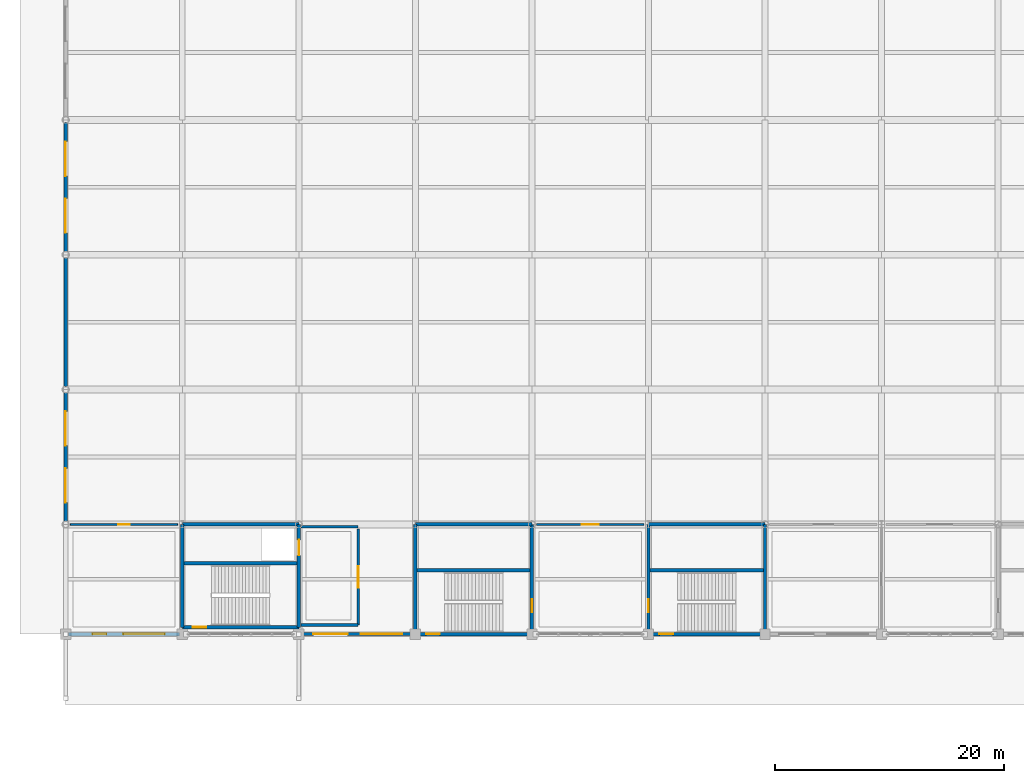
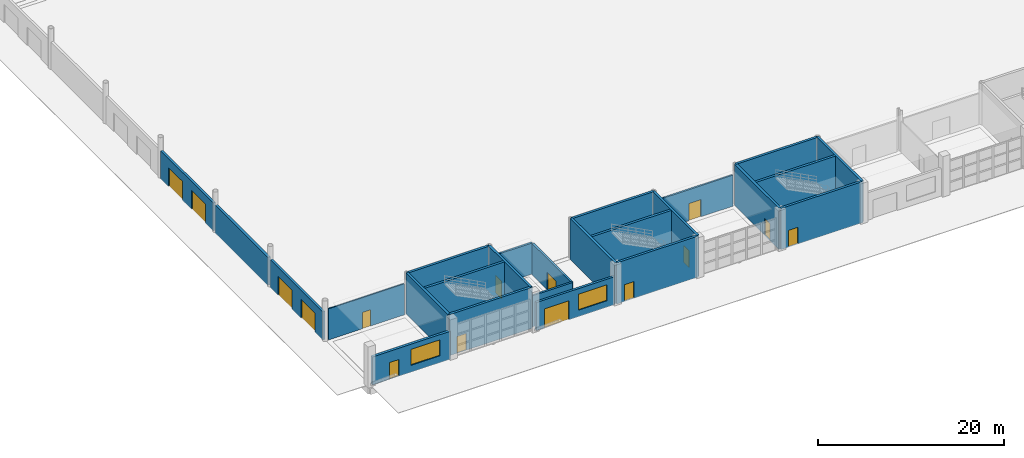
# One storey, part 86 of 124: 25 walls, 15 doors, 2 windows, 17 openings.
"""IFC4 building model written with IfcOpenShell, lengths in metres."""

from ifc_helpers import new_model, si_unit, direction, frame, frame_2d, origin, place, context, subcontext, project, spatial, rectangle, extrude, material, layer, layer_set, type_object, element, fill, save


model = new_model("IFC4")

# Units and contexts
model_context = context("Model", 3, precision=1e-05, world=origin(), true_north=direction((0.0, 1.0)))
body_context = subcontext(model_context, "Body", "Model", "MODEL_VIEW")
ifc_project = project(units=[si_unit("LENGTHUNIT", "METRE"), si_unit("AREAUNIT", "SQUARE_METRE"), si_unit("VOLUMEUNIT", "CUBIC_METRE"), si_unit("PLANEANGLEUNIT", "RADIAN"), si_unit("MASSUNIT", "GRAM", prefix="KILO")], contexts=[model_context])

# Site, building, storey
site_placement = place(None, origin())
site = spatial("IfcSite", under=ifc_project, at=site_placement, CompositionType="ELEMENT")
building_placement = place(site_placement, origin())
building = spatial("IfcBuilding", under=site, at=building_placement, Name="Brelvane Convention Centre", CompositionType="ELEMENT")
storey_placement = place(building_placement, origin())
storey = spatial("IfcBuildingStorey", under=building, at=storey_placement, Name="L00", CompositionType="ELEMENT", Elevation=0.0)

# Wall, openings, door, window
ifc_material_1 = material(Name="Insulated Autoclaved Aerated Concrete Block Grade 1", Category="concrete")
ifc_layer_1 = layer(ifc_material_1, 0.280029296875)
ifc_layer_set_1 = layer_set([ifc_layer_1], Name="Insulated Autoclaved Aerated Concrete Block Grade 1")
wall_type_1 = type_object("IfcWallType", Name="Exterior Wall EW-01", PredefinedType="STANDARD", material=ifc_layer_set_1)
wall_1_placement = place(storey_placement, frame((20.639892578125, 19.199951171875, 0.0), z_axis=(0.0, 0.0, 1.0), x_axis=(1.0, 0.0, 0.0)))
wall_1 = element("IfcWall", 1, at=wall_1_placement, inside=storey, type_object=wall_type_1, Name="Exterior Wall L00 V1S-B03", PredefinedType="STANDARD", context=body_context, shape_type="SweptSolid", body=[
    extrude(rectangle(XDim=9.72021484375, YDim=0.280029296875, at=frame_2d((4.860107421875, 0.0))), origin(), (0.0, 0.0, 1.0), 3.679931640625),
])
opening_1_placement = place(wall_1_placement, frame((1.027099609375, 0.0, 0.0)))
opening_1 = element("IfcOpeningElement", 2, at=opening_1_placement, cuts=wall_1, Name="Opening DR-EX-01", PredefinedType="OPENING", context=body_context, shape_type="SweptSolid", body=[
    extrude(rectangle(XDim=3.0, YDim=2.5, at=frame_2d((1.5, 1.25))), frame((0.0, 0.14990234375, 0.0), z_axis=(0.0, -1.0, 0.0), x_axis=(1.0, 0.0, 0.0)), (0.0, 0.0, 1.0), 0.300048828125),
])
opening_2_placement = place(wall_1_placement, frame((5.197998046875, 0.0, 0.85009765625)))
opening_2 = element("IfcOpeningElement", 3, at=opening_2_placement, cuts=wall_1, Name="Opening WN-03", PredefinedType="OPENING", context=body_context, shape_type="SweptSolid", body=[
    extrude(rectangle(XDim=3.60009765625, YDim=2.10009765625, at=frame_2d((1.800048828125, 1.050048828125))), frame((0.0, 0.14990234375, 0.0), z_axis=(0.0, -1.0, 0.0), x_axis=(1.0, 0.0, 0.0)), (0.0, 0.0, 1.0), 0.300048828125),
])
ifc_material_2 = material(Name="Anodised Aluminium Alloy 6063-T6", Category="aluminium")
door_type_1 = type_object("IfcDoorType", Name="Exterior Door DR-EX-01", OperationType="NOTDEFINED", PredefinedType="DOOR", material=ifc_material_2)
door_1_placement = place(opening_1_placement, frame((3.0, 0.0, 0.0), z_axis=(0.0, 0.0, 1.0), x_axis=(-1.0, 0.0, 0.0)))
door_1 = element("IfcDoor", 4, at=door_1_placement, inside=storey, type_object=door_type_1, Name="Final Exit Door CONC-S3A (DR-EX-01)", OperationType="DOUBLE_DOOR_SINGLE_SWING", OverallHeight=2.5, OverallWidth=3.0, PredefinedType="DOOR", context=body_context, shape_type="SweptSolid", body=[
    extrude(rectangle(XDim=3.0, YDim=2.5, at=frame_2d((1.5, 1.25))), frame((0.0, 0.02490234375, 0.0), z_axis=(0.0, -1.0, 0.0), x_axis=(1.0, 0.0, 0.0)), (0.0, 0.0, 1.0), 0.050048828125),
])
fill(opening_1, door_1)
ifc_material_3 = material(Name="Double Glazed Low-E Laminated Unit")
window_type = type_object("IfcWindowType", Name="Window WN-03", PartitioningType="TRIPLE_PANEL_VERTICAL", PredefinedType="WINDOW", material=ifc_material_3)
window_1_placement = place(opening_2_placement, origin())
window_1 = element("IfcWindow", 5, at=window_1_placement, inside=storey, type_object=window_type, Name="Facade Window L00-V1S-B03-002", OverallHeight=2.10009765625, OverallWidth=3.60009765625, PartitioningType="TRIPLE_PANEL_VERTICAL", PredefinedType="WINDOW", context=body_context, shape_type="SweptSolid", body=[
    extrude(rectangle(XDim=3.60009765625, YDim=2.10009765625, at=frame_2d((1.800048828125, 1.050048828125))), frame((0.0, 0.030029296875, 0.0), z_axis=(0.0, -1.0, 0.0), x_axis=(1.0, 0.0, 0.0)), (0.0, 0.0, 1.0), 0.06005859375),
])
fill(opening_2, window_1)

# Wall, openings, doors
wall_2_placement = place(storey_placement, frame((0.0, 29.0400390625, 0.0), z_axis=(0.0, 0.0, 1.0), x_axis=(0.0, 1.0, 0.0)))
wall_2 = element("IfcWall", 6, at=wall_2_placement, inside=storey, type_object=wall_type_1, Name="Exterior Wall L00 V1W-L00-1", PredefinedType="STANDARD", context=body_context, shape_type="SweptSolid", body=[
    extrude(rectangle(XDim=11.320068359375, YDim=0.280029296875, at=frame_2d((5.66015625, 0.0))), origin(), (0.0, 0.0, 1.0), 3.679931640625),
])
opening_3_placement = place(wall_2_placement, frame((1.669921875, 0.0, 0.0)))
opening_3 = element("IfcOpeningElement", 7, at=opening_3_placement, cuts=wall_2, Name="Opening DR-EX-01", PredefinedType="OPENING", context=body_context, shape_type="SweptSolid", body=[
    extrude(rectangle(XDim=3.0, YDim=2.5, at=frame_2d((1.5, 1.25))), frame((0.0, 0.14990234375, 0.0), z_axis=(0.0, -1.0, 0.0), x_axis=(1.0, 0.0, 0.0)), (0.0, 0.0, 1.0), 0.300048828125),
])
opening_4_placement = place(wall_2_placement, frame((6.64990234375, 0.0, 0.0)))
opening_4 = element("IfcOpeningElement", 8, at=opening_4_placement, cuts=wall_2, Name="Opening DR-EX-01", PredefinedType="OPENING", context=body_context, shape_type="SweptSolid", body=[
    extrude(rectangle(XDim=3.0, YDim=2.5, at=frame_2d((1.5, 1.25))), frame((0.0, 0.14990234375, 0.0), z_axis=(0.0, -1.0, 0.0), x_axis=(1.0, 0.0, 0.0)), (0.0, 0.0, 1.0), 0.300048828125),
])
door_2_placement = place(opening_3_placement, origin())
door_2 = element("IfcDoor", 9, at=door_2_placement, inside=storey, type_object=door_type_1, Name="Final Exit Door EXH-W1A (DR-EX-01)", OperationType="DOUBLE_DOOR_SINGLE_SWING", OverallHeight=2.5, OverallWidth=3.0, PredefinedType="DOOR", context=body_context, shape_type="SweptSolid", body=[
    extrude(rectangle(XDim=3.0, YDim=2.5, at=frame_2d((1.5, 1.25))), frame((0.0, 0.02490234375, 0.0), z_axis=(0.0, -1.0, 0.0), x_axis=(1.0, 0.0, 0.0)), (0.0, 0.0, 1.0), 0.050048828125),
])
fill(opening_3, door_2)
door_3_placement = place(opening_4_placement, origin())
door_3 = element("IfcDoor", 10, at=door_3_placement, inside=storey, type_object=door_type_1, Name="Final Exit Door EXH-W1B (DR-EX-01)", OperationType="DOUBLE_DOOR_SINGLE_SWING", OverallHeight=2.5, OverallWidth=3.0, PredefinedType="DOOR", context=body_context, shape_type="SweptSolid", body=[
    extrude(rectangle(XDim=3.0, YDim=2.5, at=frame_2d((1.5, 1.25))), frame((0.0, 0.02490234375, 0.0), z_axis=(0.0, -1.0, 0.0), x_axis=(1.0, 0.0, 0.0)), (0.0, 0.0, 1.0), 0.050048828125),
])
fill(opening_4, door_3)

wall_3_placement = place(storey_placement, frame((0.0, 52.639892578125, 0.0), z_axis=(0.0, 0.0, 1.0), x_axis=(0.0, 1.0, 0.0)))
wall_3 = element("IfcWall", 11, at=wall_3_placement, inside=storey, type_object=wall_type_1, Name="Exterior Wall L00 V1W-L00-3", PredefinedType="STANDARD", context=body_context, shape_type="SweptSolid", body=[
    extrude(rectangle(XDim=11.320068359375, YDim=0.280029296875, at=frame_2d((5.66015625, 0.0))), origin(), (0.0, 0.0, 1.0), 3.679931640625),
])
opening_5_placement = place(wall_3_placement, frame((1.669921875, 0.0, 0.0)))
opening_5 = element("IfcOpeningElement", 12, at=opening_5_placement, cuts=wall_3, Name="Opening DR-EX-01", PredefinedType="OPENING", context=body_context, shape_type="SweptSolid", body=[
    extrude(rectangle(XDim=3.0, YDim=2.5, at=frame_2d((1.5, 1.25))), frame((0.0, 0.14990234375, 0.0), z_axis=(0.0, -1.0, 0.0), x_axis=(1.0, 0.0, 0.0)), (0.0, 0.0, 1.0), 0.300048828125),
])
opening_6_placement = place(wall_3_placement, frame((6.64990234375, 0.0, 0.0)))
opening_6 = element("IfcOpeningElement", 13, at=opening_6_placement, cuts=wall_3, Name="Opening DR-EX-01", PredefinedType="OPENING", context=body_context, shape_type="SweptSolid", body=[
    extrude(rectangle(XDim=3.0, YDim=2.5, at=frame_2d((1.5, 1.25))), frame((0.0, 0.14990234375, 0.0), z_axis=(0.0, -1.0, 0.0), x_axis=(1.0, 0.0, 0.0)), (0.0, 0.0, 1.0), 0.300048828125),
])
door_4_placement = place(opening_5_placement, origin())
door_4 = element("IfcDoor", 14, at=door_4_placement, inside=storey, type_object=door_type_1, Name="Final Exit Door EXH-W3A (DR-EX-01)", OperationType="DOUBLE_DOOR_SINGLE_SWING", OverallHeight=2.5, OverallWidth=3.0, PredefinedType="DOOR", context=body_context, shape_type="SweptSolid", body=[
    extrude(rectangle(XDim=3.0, YDim=2.5, at=frame_2d((1.5, 1.25))), frame((0.0, 0.02490234375, 0.0), z_axis=(0.0, -1.0, 0.0), x_axis=(1.0, 0.0, 0.0)), (0.0, 0.0, 1.0), 0.050048828125),
])
fill(opening_5, door_4)
door_5_placement = place(opening_6_placement, origin())
door_5 = element("IfcDoor", 15, at=door_5_placement, inside=storey, type_object=door_type_1, Name="Final Exit Door EXH-W3B (DR-EX-01)", OperationType="DOUBLE_DOOR_SINGLE_SWING", OverallHeight=2.5, OverallWidth=3.0, PredefinedType="DOOR", context=body_context, shape_type="SweptSolid", body=[
    extrude(rectangle(XDim=3.0, YDim=2.5, at=frame_2d((1.5, 1.25))), frame((0.0, 0.02490234375, 0.0), z_axis=(0.0, -1.0, 0.0), x_axis=(1.0, 0.0, 0.0)), (0.0, 0.0, 1.0), 0.050048828125),
])
fill(opening_6, door_5)

# Wall, openings, door, window
ifc_material_4 = material(Name="Concrete M40", Category="concrete")
ifc_layer_2 = layer(ifc_material_4, 0.320068359375)
ifc_layer_set_2 = layer_set([ifc_layer_2], Name="Concrete M40")
wall_type_2 = type_object("IfcWallType", Name="Exterior Wall EW-07", PredefinedType="SOLIDWALL", material=ifc_layer_set_2)
wall_4_placement = place(storey_placement, frame((0.239990234375, 19.199951171875, 0.0), z_axis=(0.0, 0.0, 1.0), x_axis=(1.0, 0.0, 0.0)))
wall_4 = element("IfcWall", 16, at=wall_4_placement, inside=storey, type_object=wall_type_2, Name="Exterior Wall L00 V1S-B01", PredefinedType="SOLIDWALL", context=body_context, shape_type="SweptSolid", body=[
    extrude(rectangle(XDim=9.719970703125, YDim=0.320068359375, at=frame_2d((4.85986328125, 0.0))), origin(), (0.0, 0.0, 1.0), 3.679931640625),
])
opening_7_placement = place(wall_4_placement, frame((2.1220703125, 0.0, 0.0)))
opening_7 = element("IfcOpeningElement", 17, at=opening_7_placement, cuts=wall_4, Name="Opening DR-EX-08", PredefinedType="OPENING", context=body_context, shape_type="SweptSolid", body=[
    extrude(rectangle(XDim=1.199951171875, YDim=2.199951171875, at=frame_2d((0.60009765625, 1.10009765625))), frame((0.0, 0.169921875, 0.0), z_axis=(0.0, -1.0, 0.0), x_axis=(1.0, 0.0, 0.0)), (0.0, 0.0, 1.0), 0.340087890625),
])
opening_8_placement = place(wall_4_placement, frame((4.81005859375, 0.0, 0.89990234375)))
opening_8 = element("IfcOpeningElement", 18, at=opening_8_placement, cuts=wall_4, Name="Opening WN-03", PredefinedType="OPENING", context=body_context, shape_type="SweptSolid", body=[
    extrude(rectangle(XDim=3.60009765625, YDim=2.10009765625, at=frame_2d((1.800048828125, 1.050048828125))), frame((0.0, 0.169921875, 0.0), z_axis=(0.0, -1.0, 0.0), x_axis=(1.0, 0.0, 0.0)), (0.0, 0.0, 1.0), 0.340087890625),
])
ifc_material_5 = material(Name="Anodised Aluminium Alloy 6063-T6", Category="aluminium")
door_type_2 = type_object("IfcDoorType", Name="Exterior Door DR-EX-08", OperationType="NOTDEFINED", PredefinedType="DOOR", material=ifc_material_5)
door_6_placement = place(opening_7_placement, frame((1.199951171875, 0.0, 0.0), z_axis=(0.0, 0.0, 1.0), x_axis=(-1.0, 0.0, 0.0)))
door_6 = element("IfcDoor", 19, at=door_6_placement, inside=storey, type_object=door_type_2, Name="Final Exit Door FCC-S1 (DR-EX-08)", OperationType="SINGLE_SWING_LEFT", OverallHeight=2.199951171875, OverallWidth=1.199951171875, PredefinedType="DOOR", context=body_context, shape_type="SweptSolid", body=[
    extrude(rectangle(XDim=1.199951171875, YDim=2.199951171875, at=frame_2d((0.60009765625, 1.10009765625))), frame((0.0, 0.02490234375, 0.0), z_axis=(0.0, -1.0, 0.0), x_axis=(1.0, 0.0, 0.0)), (0.0, 0.0, 1.0), 0.050048828125),
])
fill(opening_7, door_6)
window_2_placement = place(opening_8_placement, origin())
window_2 = element("IfcWindow", 20, at=window_2_placement, inside=storey, type_object=window_type, Name="Facade Window L00-V1S-B01-001", OverallHeight=2.10009765625, OverallWidth=3.60009765625, PartitioningType="TRIPLE_PANEL_VERTICAL", PredefinedType="WINDOW", context=body_context, shape_type="SweptSolid", body=[
    extrude(rectangle(XDim=3.60009765625, YDim=2.10009765625, at=frame_2d((1.800048828125, 1.050048828125))), frame((0.0, 0.030029296875, 0.0), z_axis=(0.0, -1.0, 0.0), x_axis=(1.0, 0.0, 0.0)), (0.0, 0.0, 1.0), 0.06005859375),
])
fill(opening_8, window_2)

# Wall
wall_5_placement = place(storey_placement, frame((0.0, 40.840087890625, 0.0), z_axis=(0.0, 0.0, 1.0), x_axis=(0.0, 1.0, 0.0)))
element("IfcWall", 21, at=wall_5_placement, inside=storey, type_object=wall_type_2, Name="Exterior Wall L00 V1W-L00-2", PredefinedType="SOLIDWALL", context=body_context, shape_type="SweptSolid", body=[
    extrude(rectangle(XDim=11.31982421875, YDim=0.320068359375, at=frame_2d((5.659912109375, 0.0))), origin(), (0.0, 0.0, 1.0), 3.679931640625),
])

# Wall, opening, door
ifc_material_6 = material(Name="Fire-Rated Acoustic Gypsum Partition Board Grade A")
ifc_layer_3 = layer(ifc_material_6, 0.155029296875)
ifc_layer_set_3 = layer_set([ifc_layer_3], Name="Fire-Rated Acoustic Gypsum Partition Board Grade A")
wall_type_3 = type_object("IfcWallType", Name="Interior Wall IW-AC-155", PredefinedType="PARTITIONING", material=ifc_layer_set_3)
wall_6_placement = place(storey_placement, frame((0.39990234375, 28.800048828125, 0.0), z_axis=(0.0, 0.0, 1.0), x_axis=(1.0, 0.0, 0.0)))
wall_6 = element("IfcWall", 22, at=wall_6_placement, inside=storey, type_object=wall_type_3, Name="Interior Partition L00-FCC-S", PredefinedType="PARTITIONING", context=body_context, shape_type="SweptSolid", body=[
    extrude(rectangle(XDim=9.400146484375, YDim=0.155029296875, at=frame_2d((4.7001953125, 0.0))), origin(), (0.0, 0.0, 1.0), 4.080078125),
])
opening_9_placement = place(wall_6_placement, frame((4.199951171875, 0.0, 0.0)))
opening_9 = element("IfcOpeningElement", 23, at=opening_9_placement, cuts=wall_6, Name="Opening DR-IN-01L", PredefinedType="OPENING", context=body_context, shape_type="SweptSolid", body=[
    extrude(rectangle(XDim=1.0, YDim=2.14990234375, at=frame_2d((0.5, 1.074951171875))), frame((0.0, 0.08740234375, 0.0), z_axis=(0.0, -1.0, 0.0), x_axis=(1.0, 0.0, 0.0)), (0.0, 0.0, 1.0), 0.175048828125),
])
ifc_material_7 = material(Name="Solid-Core Fire-Rated Hardwood Leaf Grade 1", Category="wood")
door_type_3 = type_object("IfcDoorType", Name="Interior Door DR-IN-01L", OperationType="NOTDEFINED", PredefinedType="DOOR", material=ifc_material_7)
door_7_placement = place(opening_9_placement, origin())
door_7 = element("IfcDoor", 24, at=door_7_placement, inside=storey, type_object=door_type_3, Name="Interior Door L00-FCC-S (DR-IN-01L)", OperationType="SINGLE_SWING_LEFT", OverallHeight=2.14990234375, OverallWidth=1.0, PredefinedType="DOOR", context=body_context, shape_type="SweptSolid", body=[
    extrude(rectangle(XDim=1.0, YDim=2.14990234375, at=frame_2d((0.5, 1.074951171875))), frame((0.0, 0.02490234375, 0.0), z_axis=(0.0, -1.0, 0.0), x_axis=(1.0, 0.0, 0.0)), (0.0, 0.0, 1.0), 0.050048828125),
])
fill(opening_9, door_7)

ifc_material_8 = material(Name="Fire-Rated Acoustic Gypsum Partition Board Grade A")
ifc_layer_4 = layer(ifc_material_8, 0.199951171875)
ifc_layer_set_4 = layer_set([ifc_layer_4], Name="Fire-Rated Acoustic Gypsum Partition Board Grade A")
wall_type_4 = type_object("IfcWallType", Name="Interior Wall IW-FR-200", PredefinedType="PARTITIONING", material=ifc_layer_set_4)
wall_7_placement = place(storey_placement, frame((41.199951171875, 28.800048828125, 0.0), z_axis=(0.0, 0.0, 1.0), x_axis=(1.0, 0.0, 0.0)))
wall_7 = element("IfcWall", 25, at=wall_7_placement, inside=storey, type_object=wall_type_4, Name="Interior Partition L00-EXH-S05", PredefinedType="PARTITIONING", context=body_context, shape_type="SweptSolid", body=[
    extrude(rectangle(XDim=9.400146484375, YDim=0.199951171875, at=frame_2d((4.7001953125, 0.0))), origin(), (0.0, 0.0, 1.0), 4.080078125),
])
opening_10_placement = place(wall_7_placement, frame((3.949951171875, 0.0, 0.0)))
opening_10 = element("IfcOpeningElement", 26, at=opening_10_placement, cuts=wall_7, Name="Opening DR-IN-05", PredefinedType="OPENING", context=body_context, shape_type="SweptSolid", body=[
    extrude(rectangle(XDim=1.5, YDim=2.25, at=frame_2d((0.75, 1.125))), frame((0.0, 0.10986328125, 0.0), z_axis=(0.0, -1.0, 0.0), x_axis=(1.0, 0.0, 0.0)), (0.0, 0.0, 1.0), 0.219970703125),
])
ifc_material_9 = material(Name="Solid-Core Fire-Rated Hardwood Leaf Grade 1", Category="wood")
door_type_4 = type_object("IfcDoorType", Name="Interior Door DR-IN-05", OperationType="NOTDEFINED", PredefinedType="DOOR", material=ifc_material_9)
door_8_placement = place(opening_10_placement, origin())
door_8 = element("IfcDoor", 27, at=door_8_placement, inside=storey, type_object=door_type_4, Name="Interior Door L00-EXH-S05 (DR-IN-05)", OperationType="DOUBLE_DOOR_SINGLE_SWING", OverallHeight=2.25, OverallWidth=1.5, PredefinedType="DOOR", context=body_context, shape_type="SweptSolid", body=[
    extrude(rectangle(XDim=1.5, YDim=2.25, at=frame_2d((0.75, 1.125))), frame((0.0, 0.02490234375, 0.0), z_axis=(0.0, -1.0, 0.0), x_axis=(1.0, 0.0, 0.0)), (0.0, 0.0, 1.0), 0.050048828125),
])
fill(opening_10, door_8)

ifc_material_10 = material(Name="Concrete M40", Category="concrete")
ifc_layer_5 = layer(ifc_material_10, 0.239990234375)
ifc_layer_set_5 = layer_set([ifc_layer_5], Name="Concrete M40")
wall_type_5 = type_object("IfcWallType", Name="Interior Wall IW-FR-240", PredefinedType="PARTITIONING", material=ifc_layer_set_5)
wall_8_placement = place(storey_placement, frame((25.60009765625, 20.0, 0.0), z_axis=(0.0, 0.0, 1.0), x_axis=(0.0, 1.0, 0.0)))
wall_8 = element("IfcWall", 28, at=wall_8_placement, inside=storey, type_object=wall_type_5, Name="Firefighting Lobby C1 Wall E (L00)", PredefinedType="PARTITIONING", context=body_context, shape_type="SweptSolid", body=[
    extrude(rectangle(XDim=8.39990234375, YDim=0.239990234375, at=frame_2d((4.199951171875, 0.0))), origin(), (0.0, 0.0, 1.0), 4.080078125),
])
opening_11_placement = place(wall_8_placement, frame((3.25, 0.0, 0.0)))
opening_11 = element("IfcOpeningElement", 29, at=opening_11_placement, cuts=wall_8, Name="Opening DR-FL-01", PredefinedType="OPENING", context=body_context, shape_type="SweptSolid", body=[
    extrude(rectangle(XDim=1.89990234375, YDim=2.25, at=frame_2d((0.949951171875, 1.125))), frame((0.0, 0.1298828125, 0.0), z_axis=(0.0, -1.0, 0.0), x_axis=(1.0, 0.0, 0.0)), (0.0, 0.0, 1.0), 0.260009765625),
])
ifc_material_11 = material(Name="Galvanised Hollow-Metal Fire Door Steel E250", Category="steel")
door_type_5 = type_object("IfcDoorType", Name="Interior Door DR-FL-01", OperationType="NOTDEFINED", PredefinedType="DOOR", material=ifc_material_11)
door_9_placement = place(opening_11_placement, origin())
door_9 = element("IfcDoor", 30, at=door_9_placement, inside=storey, type_object=door_type_5, Name="Firefighting Lobby C1 Smoke Door (L00)", OperationType="DOUBLE_DOOR_SINGLE_SWING", OverallHeight=2.25, OverallWidth=1.89990234375, PredefinedType="DOOR", context=body_context, shape_type="SweptSolid", body=[
    extrude(rectangle(XDim=1.89990234375, YDim=2.25, at=frame_2d((0.949951171875, 1.125))), frame((0.0, 0.02490234375, 0.0), z_axis=(0.0, -1.0, 0.0), x_axis=(1.0, 0.0, 0.0)), (0.0, 0.0, 1.0), 0.050048828125),
])
fill(opening_11, door_9)

# Walls
for number, where, z_axis, x_axis, name in (
    (31, (20.60009765625, 28.60009765625, 0.0), (0.0, 0.0, 1.0), (1.0, 0.0, 0.0), "Firefighting Lobby C1 Wall N (L00)"),
    (32, (20.60009765625, 20.0, 0.0), (0.0, 0.0, 1.0), (1.0, 0.0, 0.0), "Firefighting Lobby C1 Wall S (L00)"),
):
    element("IfcWall", number, at=place(storey_placement, frame(where, z_axis=z_axis, x_axis=x_axis)), inside=storey, type_object=wall_type_5, Name=name, PredefinedType="PARTITIONING", context=body_context, shape_type="SweptSolid", body=[
        extrude(rectangle(XDim=5.0, YDim=0.239990234375, at=frame_2d((2.5, 0.0))), origin(), (0.0, 0.0, 1.0), 4.080078125),
    ])

# Wall, opening, door
ifc_material_12 = material(Name="Concrete M50", Category="concrete")
ifc_layer_6 = layer(ifc_material_12, 0.300048828125)
ifc_layer_set_6 = layer_set([ifc_layer_6], Name="Concrete M50")
wall_type_6 = type_object("IfcWallType", Name="Structural Wall WL-CORE-300", PredefinedType="SHEAR", material=ifc_layer_set_6)
wall_9_placement = place(storey_placement, frame((10.199951171875, 19.800048828125, 0.0), z_axis=(0.0, 0.0, 1.0), x_axis=(1.0, 0.0, 0.0)))
wall_9 = element("IfcWall", 33, at=wall_9_placement, inside=storey, type_object=wall_type_6, Name="Core C1 Shear Wall S (L00)", PredefinedType="SHEAR", context=body_context, shape_type="SweptSolid", body=[
    extrude(rectangle(XDim=10.199951171875, YDim=0.300048828125, at=frame_2d((5.10009765625, 0.0))), origin(), (0.0, 0.0, 1.0), 5.39990234375),
])
opening_12_placement = place(wall_9_placement, frame((0.919921875, 0.0, 0.0)))
opening_12 = element("IfcOpeningElement", 34, at=opening_12_placement, cuts=wall_9, Name="Opening DR-IN-04L", PredefinedType="OPENING", context=body_context, shape_type="SweptSolid", body=[
    extrude(rectangle(XDim=1.159912109375, YDim=2.199951171875, at=frame_2d((0.580078125, 1.10009765625))), frame((0.0, 0.159912109375, 0.0), z_axis=(0.0, -1.0, 0.0), x_axis=(1.0, 0.0, 0.0)), (0.0, 0.0, 1.0), 0.320068359375),
])
ifc_material_13 = material(Name="Galvanised Hollow-Metal Fire Door Steel E250", Category="steel")
door_type_6 = type_object("IfcDoorType", Name="Interior Door DR-IN-04L", OperationType="NOTDEFINED", PredefinedType="DOOR", material=ifc_material_13)
door_10_placement = place(opening_12_placement, frame((1.159912109375, 0.0, 0.0), z_axis=(0.0, 0.0, 1.0), x_axis=(-1.0, 0.0, 0.0)))
door_10 = element("IfcDoor", 35, at=door_10_placement, inside=storey, type_object=door_type_6, Name="Stair ST-01 Exit Door (L00)", OperationType="SINGLE_SWING_LEFT", OverallHeight=2.199951171875, OverallWidth=1.159912109375, PredefinedType="DOOR", context=body_context, shape_type="SweptSolid", body=[
    extrude(rectangle(XDim=1.159912109375, YDim=2.199951171875, at=frame_2d((0.580078125, 1.10009765625))), frame((0.0, 0.02490234375, 0.0), z_axis=(0.0, -1.0, 0.0), x_axis=(1.0, 0.0, 0.0)), (0.0, 0.0, 1.0), 0.050048828125),
])
fill(opening_12, door_10)

# Walls
wall_10_placement = place(storey_placement, frame((10.199951171875, 28.800048828125, 0.0), z_axis=(0.0, 0.0, 1.0), x_axis=(1.0, 0.0, 0.0)))
element("IfcWall", 36, at=wall_10_placement, inside=storey, type_object=wall_type_6, Name="Core C1 Shear Wall N (L00)", PredefinedType="SHEAR", context=body_context, shape_type="SweptSolid", body=[
    extrude(rectangle(XDim=10.199951171875, YDim=0.300048828125, at=frame_2d((5.10009765625, 0.0))), origin(), (0.0, 0.0, 1.0), 5.39990234375),
])
wall_11_placement = place(storey_placement, frame((10.199951171875, 19.800048828125, 0.0), z_axis=(0.0, 0.0, 1.0), x_axis=(0.0, 1.0, 0.0)))
element("IfcWall", 37, at=wall_11_placement, inside=storey, type_object=wall_type_6, Name="Core C1 Shear Wall W (L00)", PredefinedType="SHEAR", context=body_context, shape_type="SweptSolid", body=[
    extrude(rectangle(XDim=9.0, YDim=0.300048828125, at=frame_2d((4.5, 0.0))), origin(), (0.0, 0.0, 1.0), 5.39990234375),
])

# Wall, opening, door
wall_12_placement = place(storey_placement, frame((20.39990234375, 19.800048828125, 0.0), z_axis=(0.0, 0.0, 1.0), x_axis=(0.0, 1.0, 0.0)))
wall_12 = element("IfcWall", 38, at=wall_12_placement, inside=storey, type_object=wall_type_6, Name="Core C1 Shear Wall E (L00)", PredefinedType="SHEAR", context=body_context, shape_type="SweptSolid", body=[
    extrude(rectangle(XDim=9.0, YDim=0.300048828125, at=frame_2d((4.5, 0.0))), origin(), (0.0, 0.0, 1.0), 5.39990234375),
])
opening_13_placement = place(wall_12_placement, frame((6.300048828125, 0.0, 0.0)))
opening_13 = element("IfcOpeningElement", 39, at=opening_13_placement, cuts=wall_12, Name="Opening LD-03", PredefinedType="OPENING", context=body_context, shape_type="SweptSolid", body=[
    extrude(rectangle(XDim=1.35009765625, YDim=2.300048828125, at=frame_2d((0.675048828125, 1.14990234375))), frame((0.0, 0.159912109375, 0.0), z_axis=(0.0, -1.0, 0.0), x_axis=(1.0, 0.0, 0.0)), (0.0, 0.0, 1.0), 0.320068359375),
])
ifc_material_14 = material(Name="Galvanised Hollow-Metal Fire Door Steel E250", Category="steel")
door_type_7 = type_object("IfcDoorType", Name="Interior Door LD-03", OperationType="NOTDEFINED", PredefinedType="DOOR", material=ifc_material_14)
door_11_placement = place(opening_13_placement, origin())
door_11 = element("IfcDoor", 40, at=door_11_placement, inside=storey, type_object=door_type_7, Name="Lift LF-01 Landing Door (L00)", OperationType="DOUBLE_DOOR_SLIDING", OverallHeight=2.300048828125, OverallWidth=1.35009765625, PredefinedType="DOOR", context=body_context, shape_type="SweptSolid", body=[
    extrude(rectangle(XDim=1.35009765625, YDim=2.300048828125, at=frame_2d((0.675048828125, 1.14990234375))), frame((0.0, 0.02490234375, 0.0), z_axis=(0.0, -1.0, 0.0), x_axis=(1.0, 0.0, 0.0)), (0.0, 0.0, 1.0), 0.050048828125),
])
fill(opening_13, door_11)

# Wall
wall_13_placement = place(storey_placement, frame((10.35009765625, 25.39990234375, 0.0), z_axis=(0.0, 0.0, 1.0), x_axis=(1.0, 0.0, 0.0)))
element("IfcWall", 41, at=wall_13_placement, inside=storey, type_object=wall_type_6, Name="Core C1 Shaft Divider Wall (L00)", PredefinedType="SHEAR", context=body_context, shape_type="SweptSolid", body=[
    extrude(rectangle(XDim=9.89990234375, YDim=0.300048828125, at=frame_2d((4.949951171875, 0.0))), origin(), (0.0, 0.0, 1.0), 5.39990234375),
])

# Wall, opening, door
wall_14_placement = place(storey_placement, frame((51.0, 19.199951171875, 0.0), z_axis=(0.0, 0.0, 1.0), x_axis=(1.0, 0.0, 0.0)))
wall_14 = element("IfcWall", 42, at=wall_14_placement, inside=storey, type_object=wall_type_6, Name="Stair Core ST-09 Wall S (L00)", PredefinedType="SHEAR", context=body_context, shape_type="SweptSolid", body=[
    extrude(rectangle(XDim=10.199951171875, YDim=0.300048828125, at=frame_2d((5.10009765625, 0.0))), origin(), (0.0, 0.0, 1.0), 5.39990234375),
])
opening_14_placement = place(wall_14_placement, frame((0.949951171875, 0.0, 0.0)))
opening_14 = element("IfcOpeningElement", 43, at=opening_14_placement, cuts=wall_14, Name="Opening DR-EX-08", PredefinedType="OPENING", context=body_context, shape_type="SweptSolid", body=[
    extrude(rectangle(XDim=1.199951171875, YDim=2.199951171875, at=frame_2d((0.60009765625, 1.10009765625))), frame((0.0, 0.159912109375, 0.0), z_axis=(0.0, -1.0, 0.0), x_axis=(1.0, 0.0, 0.0)), (0.0, 0.0, 1.0), 0.320068359375),
])
door_12_placement = place(opening_14_placement, frame((1.199951171875, 0.0, 0.0), z_axis=(0.0, 0.0, 1.0), x_axis=(-1.0, 0.0, 0.0)))
door_12 = element("IfcDoor", 44, at=door_12_placement, inside=storey, type_object=door_type_2, Name="Stair ST-09 Final Exit Door", OperationType="SINGLE_SWING_LEFT", OverallHeight=2.199951171875, OverallWidth=1.199951171875, PredefinedType="DOOR", context=body_context, shape_type="SweptSolid", body=[
    extrude(rectangle(XDim=1.199951171875, YDim=2.199951171875, at=frame_2d((0.60009765625, 1.10009765625))), frame((0.0, 0.02490234375, 0.0), z_axis=(0.0, -1.0, 0.0), x_axis=(1.0, 0.0, 0.0)), (0.0, 0.0, 1.0), 0.050048828125),
])
fill(opening_14, door_12)

# Wall
wall_15_placement = place(storey_placement, frame((51.0, 28.800048828125, 0.0), z_axis=(0.0, 0.0, 1.0), x_axis=(1.0, 0.0, 0.0)))
element("IfcWall", 45, at=wall_15_placement, inside=storey, type_object=wall_type_6, Name="Stair Core ST-09 Wall N (L00)", PredefinedType="SHEAR", context=body_context, shape_type="SweptSolid", body=[
    extrude(rectangle(XDim=10.199951171875, YDim=0.300048828125, at=frame_2d((5.10009765625, 0.0))), origin(), (0.0, 0.0, 1.0), 5.39990234375),
])

# Wall, opening, door
wall_16_placement = place(storey_placement, frame((51.0, 19.199951171875, 0.0), z_axis=(0.0, 0.0, 1.0), x_axis=(0.0, 1.0, 0.0)))
wall_16 = element("IfcWall", 46, at=wall_16_placement, inside=storey, type_object=wall_type_6, Name="Stair Core ST-09 Wall W (L00)", PredefinedType="SHEAR", context=body_context, shape_type="SweptSolid", body=[
    extrude(rectangle(XDim=9.60009765625, YDim=0.300048828125, at=frame_2d((4.800048828125, 0.0))), origin(), (0.0, 0.0, 1.0), 5.39990234375),
])
opening_15_placement = place(wall_16_placement, frame((1.89990234375, 0.0, 0.0)))
opening_15 = element("IfcOpeningElement", 47, at=opening_15_placement, cuts=wall_16, Name="Opening DR-IN-04L", PredefinedType="OPENING", context=body_context, shape_type="SweptSolid", body=[
    extrude(rectangle(XDim=1.159912109375, YDim=2.199951171875, at=frame_2d((0.580078125, 1.10009765625))), frame((0.0, 0.159912109375, 0.0), z_axis=(0.0, -1.0, 0.0), x_axis=(1.0, 0.0, 0.0)), (0.0, 0.0, 1.0), 0.320068359375),
])
door_13_placement = place(opening_15_placement, origin())
door_13 = element("IfcDoor", 48, at=door_13_placement, inside=storey, type_object=door_type_6, Name="Stair ST-09 Entry Door (L00)", OperationType="SINGLE_SWING_LEFT", OverallHeight=2.199951171875, OverallWidth=1.159912109375, PredefinedType="DOOR", context=body_context, shape_type="SweptSolid", body=[
    extrude(rectangle(XDim=1.159912109375, YDim=2.199951171875, at=frame_2d((0.580078125, 1.10009765625))), frame((0.0, 0.02490234375, 0.0), z_axis=(0.0, -1.0, 0.0), x_axis=(1.0, 0.0, 0.0)), (0.0, 0.0, 1.0), 0.050048828125),
])
fill(opening_15, door_13)

# Walls
wall_17_placement = place(storey_placement, frame((61.199951171875, 19.199951171875, 0.0), z_axis=(0.0, 0.0, 1.0), x_axis=(0.0, 1.0, 0.0)))
element("IfcWall", 49, at=wall_17_placement, inside=storey, type_object=wall_type_6, Name="Stair Core ST-09 Wall E (L00)", PredefinedType="SHEAR", context=body_context, shape_type="SweptSolid", body=[
    extrude(rectangle(XDim=9.60009765625, YDim=0.300048828125, at=frame_2d((4.800048828125, 0.0))), origin(), (0.0, 0.0, 1.0), 5.39990234375),
])
wall_18_placement = place(storey_placement, frame((51.14990234375, 24.800048828125, 0.0), z_axis=(0.0, 0.0, 1.0), x_axis=(1.0, 0.0, 0.0)))
element("IfcWall", 50, at=wall_18_placement, inside=storey, type_object=wall_type_6, Name="Stair Core ST-09 Well Wall (L00)", PredefinedType="SHEAR", context=body_context, shape_type="SweptSolid", body=[
    extrude(rectangle(XDim=9.900146484375, YDim=0.300048828125, at=frame_2d((4.9501953125, 0.0))), origin(), (0.0, 0.0, 1.0), 5.39990234375),
])

# Wall, opening, door
wall_19_placement = place(storey_placement, frame((30.60009765625, 19.199951171875, 0.0), z_axis=(0.0, 0.0, 1.0), x_axis=(1.0, 0.0, 0.0)))
wall_19 = element("IfcWall", 51, at=wall_19_placement, inside=storey, type_object=wall_type_6, Name="Stair Core ST-19 Wall S (L00)", PredefinedType="SHEAR", context=body_context, shape_type="SweptSolid", body=[
    extrude(rectangle(XDim=10.199951171875, YDim=0.300048828125, at=frame_2d((5.10009765625, 0.0))), origin(), (0.0, 0.0, 1.0), 5.39990234375),
])
opening_16_placement = place(wall_19_placement, frame((0.949951171875, 0.0, 0.0)))
opening_16 = element("IfcOpeningElement", 52, at=opening_16_placement, cuts=wall_19, Name="Opening DR-EX-08", PredefinedType="OPENING", context=body_context, shape_type="SweptSolid", body=[
    extrude(rectangle(XDim=1.199951171875, YDim=2.199951171875, at=frame_2d((0.60009765625, 1.10009765625))), frame((0.0, 0.159912109375, 0.0), z_axis=(0.0, -1.0, 0.0), x_axis=(1.0, 0.0, 0.0)), (0.0, 0.0, 1.0), 0.320068359375),
])
door_14_placement = place(opening_16_placement, frame((1.199951171875, 0.0, 0.0), z_axis=(0.0, 0.0, 1.0), x_axis=(-1.0, 0.0, 0.0)))
door_14 = element("IfcDoor", 53, at=door_14_placement, inside=storey, type_object=door_type_2, Name="Stair ST-19 Final Exit Door", OperationType="SINGLE_SWING_LEFT", OverallHeight=2.199951171875, OverallWidth=1.199951171875, PredefinedType="DOOR", context=body_context, shape_type="SweptSolid", body=[
    extrude(rectangle(XDim=1.199951171875, YDim=2.199951171875, at=frame_2d((0.60009765625, 1.10009765625))), frame((0.0, 0.02490234375, 0.0), z_axis=(0.0, -1.0, 0.0), x_axis=(1.0, 0.0, 0.0)), (0.0, 0.0, 1.0), 0.050048828125),
])
fill(opening_16, door_14)

# Walls
wall_20_placement = place(storey_placement, frame((30.60009765625, 28.800048828125, 0.0), z_axis=(0.0, 0.0, 1.0), x_axis=(1.0, 0.0, 0.0)))
element("IfcWall", 54, at=wall_20_placement, inside=storey, type_object=wall_type_6, Name="Stair Core ST-19 Wall N (L00)", PredefinedType="SHEAR", context=body_context, shape_type="SweptSolid", body=[
    extrude(rectangle(XDim=10.199951171875, YDim=0.300048828125, at=frame_2d((5.10009765625, 0.0))), origin(), (0.0, 0.0, 1.0), 5.39990234375),
])
wall_21_placement = place(storey_placement, frame((30.60009765625, 19.199951171875, 0.0), z_axis=(0.0, 0.0, 1.0), x_axis=(0.0, 1.0, 0.0)))
element("IfcWall", 55, at=wall_21_placement, inside=storey, type_object=wall_type_6, Name="Stair Core ST-19 Wall W (L00)", PredefinedType="SHEAR", context=body_context, shape_type="SweptSolid", body=[
    extrude(rectangle(XDim=9.60009765625, YDim=0.300048828125, at=frame_2d((4.800048828125, 0.0))), origin(), (0.0, 0.0, 1.0), 5.39990234375),
])

# Wall, opening, door
wall_22_placement = place(storey_placement, frame((40.800048828125, 19.199951171875, 0.0), z_axis=(0.0, 0.0, 1.0), x_axis=(0.0, 1.0, 0.0)))
wall_22 = element("IfcWall", 56, at=wall_22_placement, inside=storey, type_object=wall_type_6, Name="Stair Core ST-19 Wall E (L00)", PredefinedType="SHEAR", context=body_context, shape_type="SweptSolid", body=[
    extrude(rectangle(XDim=9.60009765625, YDim=0.300048828125, at=frame_2d((4.800048828125, 0.0))), origin(), (0.0, 0.0, 1.0), 5.39990234375),
])
opening_17_placement = place(wall_22_placement, frame((1.89990234375, 0.0, 0.0)))
opening_17 = element("IfcOpeningElement", 57, at=opening_17_placement, cuts=wall_22, Name="Opening DR-IN-04L", PredefinedType="OPENING", context=body_context, shape_type="SweptSolid", body=[
    extrude(rectangle(XDim=1.159912109375, YDim=2.199951171875, at=frame_2d((0.580078125, 1.10009765625))), frame((0.0, 0.159912109375, 0.0), z_axis=(0.0, -1.0, 0.0), x_axis=(1.0, 0.0, 0.0)), (0.0, 0.0, 1.0), 0.320068359375),
])
door_15_placement = place(opening_17_placement, origin())
door_15 = element("IfcDoor", 58, at=door_15_placement, inside=storey, type_object=door_type_6, Name="Stair ST-19 Entry Door (L00)", OperationType="SINGLE_SWING_LEFT", OverallHeight=2.199951171875, OverallWidth=1.159912109375, PredefinedType="DOOR", context=body_context, shape_type="SweptSolid", body=[
    extrude(rectangle(XDim=1.159912109375, YDim=2.199951171875, at=frame_2d((0.580078125, 1.10009765625))), frame((0.0, 0.02490234375, 0.0), z_axis=(0.0, -1.0, 0.0), x_axis=(1.0, 0.0, 0.0)), (0.0, 0.0, 1.0), 0.050048828125),
])
fill(opening_17, door_15)

# Wall
wall_23_placement = place(storey_placement, frame((30.75, 24.800048828125, 0.0), z_axis=(0.0, 0.0, 1.0), x_axis=(1.0, 0.0, 0.0)))
element("IfcWall", 59, at=wall_23_placement, inside=storey, type_object=wall_type_6, Name="Stair Core ST-19 Well Wall (L00)", PredefinedType="SHEAR", context=body_context, shape_type="SweptSolid", body=[
    extrude(rectangle(XDim=9.89990234375, YDim=0.300048828125, at=frame_2d((4.949951171875, 0.0))), origin(), (0.0, 0.0, 1.0), 5.39990234375),
])

save(model, "model.ifc")
